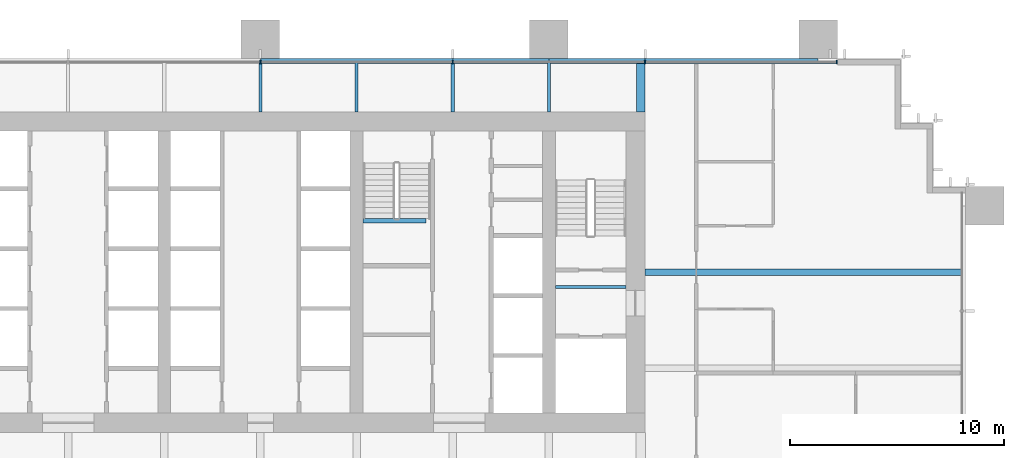
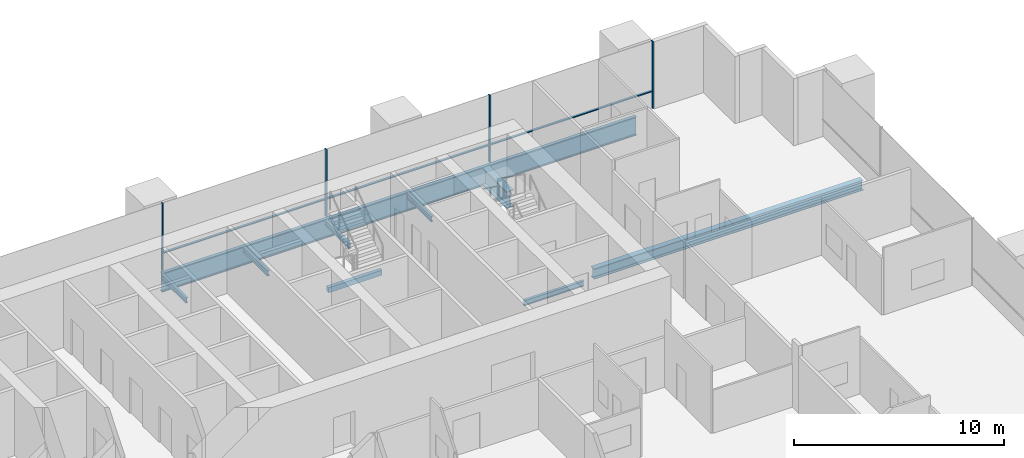
# One storey, part 8 of 18: 10 beams, 7 members, 1 element without a shape of its own.
"""IFC4 building model written with IfcOpenShell, lengths in metres."""

from ifc_helpers import new_model, si_unit, direction, frame, origin, origin_2d, place, context, subcontext, project, spatial, rectangle, i_section, extrude, material, material_profile, profile_set, type_object, element, aggregate, save


model = new_model("IFC4")

# Units and contexts
model_context = context("Model", 3, precision=1e-05, world=origin(), true_north=direction((0.0, 1.0)))
body_context = subcontext(model_context, "Body", "Model", "MODEL_VIEW")
ifc_project = project(units=[si_unit("LENGTHUNIT", "METRE"), si_unit("AREAUNIT", "SQUARE_METRE"), si_unit("VOLUMEUNIT", "CUBIC_METRE"), si_unit("PLANEANGLEUNIT", "RADIAN"), si_unit("MASSUNIT", "GRAM", prefix="KILO")], contexts=[model_context])

# Site, building, storey
site_placement = place(None, origin())
site = spatial("IfcSite", under=ifc_project, at=site_placement, CompositionType="ELEMENT")
building_placement = place(site_placement, origin())
building = spatial("IfcBuilding", under=site, at=building_placement, Name="Rattan Terrace Tower", CompositionType="ELEMENT")
storey_placement = place(building_placement, frame((0.0, 0.0, 36.5)))
storey = spatial("IfcBuildingStorey", under=building, at=storey_placement, Name="L07", CompositionType="ELEMENT", Elevation=36.5)

# Beam
ifc_material_1 = material(Name="Concrete C40/50", Category="concrete")
ifc_material_profile_1 = material_profile(ifc_material_1, rectangle(XDim=0.199951171875, YDim=0.300048828125, at=origin_2d()), Name="RC 200x300")
ifc_profile_set_1 = profile_set([ifc_material_profile_1], Name="Concrete C40/50")
beam_type_1 = type_object("IfcBeamType", Name="Core landing beam RC 200x300", PredefinedType="BEAM", material=ifc_profile_set_1)
beam_1_placement = place(storey_placement, frame((4.800048828125, 2.39990234375, 1.699951171875), z_axis=(1.0, 0.0, 0.0), x_axis=(0.0, 1.0, 0.0)))
element("IfcBeam", 1, at=beam_1_placement, inside=storey, type_object=beam_type_1, Name="st-S3-L07 landing 1 edge beam", PredefinedType="BEAM", context=body_context, shape_type="SweptSolid", body=[
    extrude(rectangle(XDim=0.199951171875, YDim=0.300048828125, at=origin_2d()), origin(), (0.0, 0.0, 1.0), 2.949951171875),
])

# Curtain wall, members
ifc_material_2 = material(Name="Aluminium and glass", Category="aluminium")
curtain_wall_type = type_object("IfcCurtainWallType", Name="Facade Unitised Curtain Wall", PredefinedType="NOTDEFINED", material=ifc_material_2)
curtain_wall_placement = place(storey_placement, origin())
curtain_wall = element("IfcCurtainWall", 2, at=curtain_wall_placement, inside=storey, type_object=curtain_wall_type, Name="Curtain wall L07-2", PredefinedType="NOTDEFINED")
ifc_material_3 = material(Name="Aluminium", Category="aluminium")
ifc_material_profile_2 = material_profile(ifc_material_3, rectangle(XDim=0.06005859375, YDim=0.159912109375, at=origin_2d()), Name="Aluminium 60x160")
ifc_profile_set_2 = profile_set([ifc_material_profile_2], Name="Aluminium")
member_type_1 = type_object("IfcMemberType", Name="Facade CW Mullion 60x160", PredefinedType="MULLION", material=ifc_profile_set_2)
member_1_placement = place(storey_placement, frame((26.969970703125, 9.830078125, 0.0), z_axis=(0.0, 0.0, 1.0), x_axis=(-1.0, 0.0, 0.0)))
member_1 = element("IfcMember", 3, at=member_1_placement, type_object=member_type_1, Name="Mullion cwl-L07-002.1", PredefinedType="MULLION", context=body_context, shape_type="SweptSolid", body=[
    extrude(rectangle(XDim=0.06005859375, YDim=0.159912109375, at=origin_2d()), origin(), (0.0, 0.0, 1.0), 3.89990234375),
])
member_2_placement = place(storey_placement, frame((18.0, 9.830078125, 0.0), z_axis=(0.0, 0.0, 1.0), x_axis=(-1.0, 0.0, 0.0)))
member_2 = element("IfcMember", 4, at=member_2_placement, type_object=member_type_1, Name="Mullion cwl-L07-002.2", PredefinedType="MULLION", context=body_context, shape_type="SweptSolid", body=[
    extrude(rectangle(XDim=0.06005859375, YDim=0.159912109375, at=origin_2d()), origin(), (0.0, 0.0, 1.0), 3.89990234375),
])
member_3_placement = place(storey_placement, frame((9.0, 9.830078125, 0.0), z_axis=(0.0, 0.0, 1.0), x_axis=(-1.0, 0.0, 0.0)))
member_3 = element("IfcMember", 5, at=member_3_placement, type_object=member_type_1, Name="Mullion cwl-L07-002.3", PredefinedType="MULLION", context=body_context, shape_type="SweptSolid", body=[
    extrude(rectangle(XDim=0.06005859375, YDim=0.159912109375, at=origin_2d()), origin(), (0.0, 0.0, 1.0), 3.89990234375),
])
member_4_placement = place(storey_placement, frame((0.0, 9.830078125, 0.0), z_axis=(0.0, 0.0, 1.0), x_axis=(-1.0, 0.0, 0.0)))
member_4 = element("IfcMember", 6, at=member_4_placement, type_object=member_type_1, Name="Mullion cwl-L07-002.4", PredefinedType="MULLION", context=body_context, shape_type="SweptSolid", body=[
    extrude(rectangle(XDim=0.06005859375, YDim=0.159912109375, at=origin_2d()), origin(), (0.0, 0.0, 1.0), 3.89990234375),
])
ifc_material_4 = material(Name="Aluminium", Category="aluminium")
ifc_material_profile_3 = material_profile(ifc_material_4, rectangle(XDim=0.1201171875, YDim=0.06005859375, at=origin_2d()), Name="Aluminium 120x60")
ifc_profile_set_3 = profile_set([ifc_material_profile_3], Name="Aluminium")
member_type_2 = type_object("IfcMemberType", Name="Facade CW Transom 120x60", PredefinedType="USERDEFINED", material=ifc_profile_set_3)
member_5_placement = place(storey_placement, frame((26.93994140625, 9.830078125, 1.0), z_axis=(-1.0, 0.0, 0.0), x_axis=(0.0, -1.0, 0.0)))
member_5 = element("IfcMember", 7, at=member_5_placement, type_object=member_type_2, Name="Transom cwl-L07-002.1", ObjectType="TRANSOM", PredefinedType="USERDEFINED", context=body_context, shape_type="SweptSolid", body=[
    extrude(rectangle(XDim=0.1201171875, YDim=0.06005859375, at=origin_2d()), origin(), (0.0, 0.0, 1.0), 8.909912109375),
])
member_6_placement = place(storey_placement, frame((17.969970703125, 9.830078125, 1.0), z_axis=(-1.0, 0.0, 0.0), x_axis=(0.0, -1.0, 0.0)))
member_6 = element("IfcMember", 8, at=member_6_placement, type_object=member_type_2, Name="Transom cwl-L07-002.2", ObjectType="TRANSOM", PredefinedType="USERDEFINED", context=body_context, shape_type="SweptSolid", body=[
    extrude(rectangle(XDim=0.1201171875, YDim=0.06005859375, at=origin_2d()), origin(), (0.0, 0.0, 1.0), 8.93994140625),
])
member_7_placement = place(storey_placement, frame((8.969970703125, 9.830078125, 1.0), z_axis=(-1.0, 0.0, 0.0), x_axis=(0.0, -1.0, 0.0)))
member_7 = element("IfcMember", 9, at=member_7_placement, type_object=member_type_2, Name="Transom cwl-L07-002.3", ObjectType="TRANSOM", PredefinedType="USERDEFINED", context=body_context, shape_type="SweptSolid", body=[
    extrude(rectangle(XDim=0.1201171875, YDim=0.06005859375, at=origin_2d()), origin(), (0.0, 0.0, 1.0), 8.93994140625),
])
aggregate(curtain_wall, [member_1, member_2, member_3, member_4, member_5, member_6, member_7])

# Beams
ifc_material_5 = material(Name="Steel S460", Category="steel")
ifc_material_profile_4 = material_profile(ifc_material_5, i_section(OverallWidth=0.39990234375, OverallDepth=1.0, WebThickness=0.01806640625, FlangeThickness=0.044921875, at=origin_2d()), Name="PG 1000x400-18-45")
ifc_profile_set_4 = profile_set([ifc_material_profile_4], Name="Steel S460")
beam_type_2 = type_object("IfcBeamType", Name="Frame core girder PG 1000x400-18-45", PredefinedType="BEAM", material=ifc_profile_set_4)
beam_2_placement = place(storey_placement, frame((17.800048828125, 7.5, -0.699951171875), z_axis=(0.0, 1.0, 0.0), x_axis=(-1.0, 0.0, 0.0)))
element("IfcBeam", 10, at=beam_2_placement, inside=storey, type_object=beam_type_2, Name="gdr-L07-016", PredefinedType="BEAM", context=body_context, shape_type="SweptSolid", body=[
    extrude(i_section(OverallWidth=0.39990234375, OverallDepth=1.0, WebThickness=0.01806640625, FlangeThickness=0.044921875, at=origin_2d()), origin(), (0.0, 0.0, 1.0), 2.320068359375),
])
ifc_material_6 = material(Name="Steel S460", Category="steel")
ifc_material_profile_5 = material_profile(ifc_material_6, i_section(OverallWidth=0.179931640625, OverallDepth=1.10009765625, WebThickness=0.01611328125, FlangeThickness=0.050048828125, at=origin_2d()), Name="PG 1100x180-16-50")
ifc_profile_set_5 = profile_set([ifc_material_profile_5], Name="Steel S460")
beam_type_3 = type_object("IfcBeamType", Name="Frame edge girder PG 1100x180-16-50", PredefinedType="SPANDREL", material=ifc_profile_set_5)
beam_3_placement = place(storey_placement, frame((13.5, 9.909912109375, -0.75), z_axis=(-1.0, 0.0, 0.0), x_axis=(0.0, -1.0, 0.0)))
element("IfcBeam", 11, at=beam_3_placement, inside=storey, type_object=beam_type_3, Name="gdr-L07-011", PredefinedType="SPANDREL", context=body_context, shape_type="SweptSolid", body=[
    extrude(i_section(OverallWidth=0.179931640625, OverallDepth=1.10009765625, WebThickness=0.01611328125, FlangeThickness=0.050048828125, at=origin_2d()), origin(), (0.0, 0.0, 1.0), 13.5),
])
beam_4_placement = place(storey_placement, frame((26.10009765625, 9.909912109375, -0.75), z_axis=(-1.0, 0.0, 0.0), x_axis=(0.0, -1.0, 0.0)))
element("IfcBeam", 12, at=beam_4_placement, inside=storey, type_object=beam_type_3, Name="gdr-L07-012", PredefinedType="SPANDREL", context=body_context, shape_type="SweptSolid", body=[
    extrude(i_section(OverallWidth=0.179931640625, OverallDepth=1.10009765625, WebThickness=0.01611328125, FlangeThickness=0.050048828125, at=origin_2d()), origin(), (0.0, 0.0, 1.0), 12.60009765625),
])
ifc_material_7 = material(Name="Steel S355", Category="steel")
ifc_material_profile_6 = material_profile(ifc_material_7, i_section(OverallWidth=0.300048828125, OverallDepth=0.60009765625, WebThickness=0.015380859375, FlangeThickness=0.030029296875, FilletRadius=0.027099609375, at=origin_2d()), Name="HE 600 B")
ifc_profile_set_6 = profile_set([ifc_material_profile_6], Name="Steel S355")
beam_type_4 = type_object("IfcBeamType", Name="Frame floor beam HE 600 B", PredefinedType="JOIST", material=ifc_profile_set_6)
beam_5_placement = place(storey_placement, frame((18.0, 0.0, -0.5), z_axis=(1.0, 0.0, 0.0), x_axis=(0.0, 1.0, 0.0)))
element("IfcBeam", 13, at=beam_5_placement, inside=storey, type_object=beam_type_4, Name="bm-L07-023", PredefinedType="JOIST", context=body_context, shape_type="SweptSolid", body=[
    extrude(i_section(OverallWidth=0.300048828125, OverallDepth=0.60009765625, WebThickness=0.015380859375, FlangeThickness=0.030029296875, FilletRadius=0.027099609375, at=origin_2d()), origin(), (0.0, 0.0, 1.0), 14.820068359375),
])
ifc_material_8 = material(Name="Steel S355", Category="steel")
ifc_material_profile_7 = material_profile(ifc_material_8, i_section(OverallWidth=0.14990234375, OverallDepth=0.300048828125, WebThickness=0.007080078125, FlangeThickness=0.0107421875, FilletRadius=0.014892578125, at=origin_2d()), Name="IPE 300")
ifc_profile_set_7 = profile_set([ifc_material_profile_7], Name="Steel S355")
beam_type_5 = type_object("IfcBeamType", Name="Frame floor beam IPE 300", PredefinedType="JOIST", material=ifc_profile_set_7)
beam_6_placement = place(storey_placement, frame((13.800048828125, -0.695068359375, -0.35009765625), z_axis=(1.0, 0.0, 0.0), x_axis=(0.0, 1.0, 0.0)))
element("IfcBeam", 14, at=beam_6_placement, inside=storey, type_object=beam_type_5, Name="bm-L07-002", PredefinedType="JOIST", context=body_context, shape_type="SweptSolid", body=[
    extrude(i_section(OverallWidth=0.14990234375, OverallDepth=0.300048828125, WebThickness=0.007080078125, FlangeThickness=0.0107421875, FilletRadius=0.014892578125, at=origin_2d()), origin(), (0.0, 0.0, 1.0), 3.300048828125),
])
for number, where, z_axis, x_axis, name in (
    (15, (0.0, 7.5, -0.35009765625), (0.0, 1.0, 0.0), (-1.0, 0.0, 0.0), "bm-L07-027"),
    (16, (4.5, 7.5, -0.35009765625), (0.0, 1.0, 0.0), (-1.0, 0.0, 0.0), "bm-L07-028"),
    (17, (9.0, 7.5, -0.35009765625), (0.0, 1.0, 0.0), (-1.0, 0.0, 0.0), "bm-L07-029"),
    (18, (13.5, 7.5, -0.35009765625), (0.0, 1.0, 0.0), (-1.0, 0.0, 0.0), "bm-L07-030"),
):
    element("IfcBeam", number, at=place(storey_placement, frame(where, z_axis=z_axis, x_axis=x_axis)), inside=storey, type_object=beam_type_5, Name=name, PredefinedType="JOIST", context=body_context, shape_type="SweptSolid", body=[
        extrude(i_section(OverallWidth=0.14990234375, OverallDepth=0.300048828125, WebThickness=0.007080078125, FlangeThickness=0.0107421875, FilletRadius=0.014892578125, at=origin_2d()), origin(), (0.0, 0.0, 1.0), 2.320068359375),
    ])

save(model, "model.ifc")
